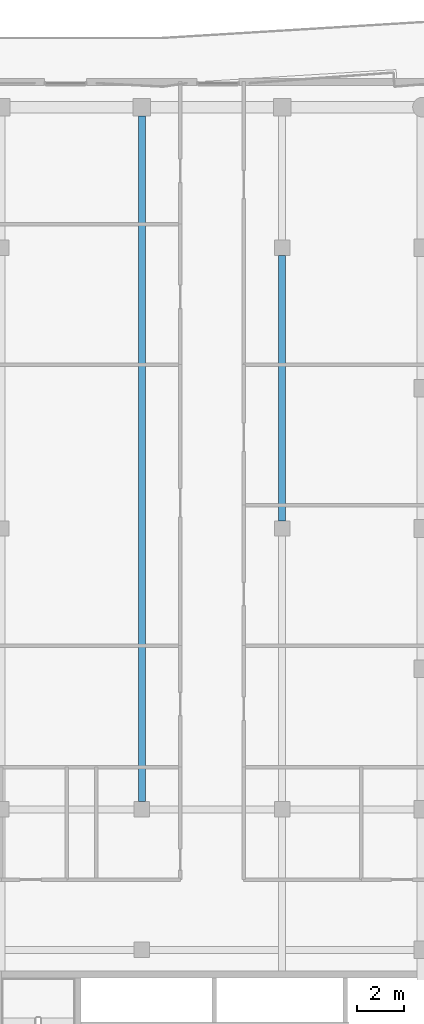
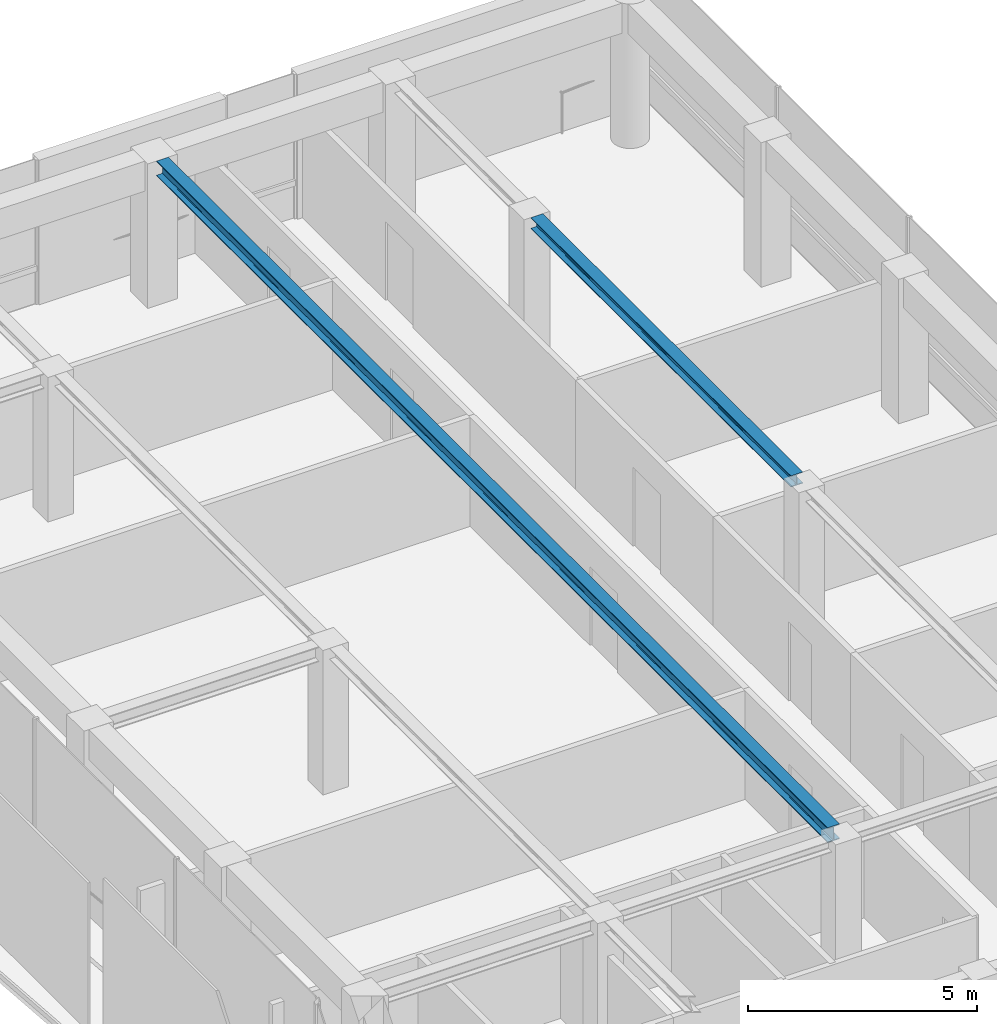
# One storey, part 12 of 21: 2 beams.
"""IFC4 building model written with IfcOpenShell, lengths in metres."""

from ifc_helpers import new_model, si_unit, direction, frame, origin, origin_2d, place, context, subcontext, project, spatial, i_section, extrude, material, material_profile, profile_set, type_object, element, save


model = new_model("IFC4")

# Units and contexts
model_context = context("Model", 3, precision=1e-05, world=origin(), true_north=direction((0.0, 1.0)))
body_context = subcontext(model_context, "Body", "Model", "MODEL_VIEW")
ifc_project = project(units=[si_unit("LENGTHUNIT", "METRE"), si_unit("AREAUNIT", "SQUARE_METRE"), si_unit("VOLUMEUNIT", "CUBIC_METRE"), si_unit("PLANEANGLEUNIT", "RADIAN"), si_unit("MASSUNIT", "GRAM", prefix="KILO")], contexts=[model_context])

# Site, building, storey
site_placement = place(None, origin())
site = spatial("IfcSite", under=ifc_project, at=site_placement, CompositionType="ELEMENT")
building_placement = place(site_placement, origin())
building = spatial("IfcBuilding", under=site, at=building_placement, Name="Welwitschia Terrace Campus", CompositionType="ELEMENT")
storey_placement = place(building_placement, frame((0.0, 0.0, 302.0)))
storey = spatial("IfcBuildingStorey", under=building, at=storey_placement, Name="L67", CompositionType="ELEMENT", Elevation=302.0)

# Beams
ifc_material_1 = material(Name="Steel S355", Category="steel")
ifc_material_profile_1 = material_profile(ifc_material_1, i_section(OverallWidth=0.300048828125, OverallDepth=0.300048828125, WebThickness=0.010986328125, FlangeThickness=0.01904296875, FilletRadius=0.027099609375, at=origin_2d()))
ifc_profile_set_1 = profile_set([ifc_material_profile_1], Name="Steel S355")
beam_type_1 = type_object("IfcBeamType", Name="Interior girder HE 300 B", PredefinedType="BEAM", material=ifc_profile_set_1)
beam_1_placement = place(storey_placement, frame((18.0, 44.325439453125, 3.699951171875), z_axis=(0.0, 1.0, 0.0), x_axis=(-1.0, 0.0, 0.0)))
element("IfcBeam", 1, at=beam_1_placement, inside=storey, type_object=beam_type_1, Name="Girder GB6", PredefinedType="BEAM", context=body_context, shape_type="SweptSolid", body=[
    extrude(i_section(OverallWidth=0.300048828125, OverallDepth=0.300048828125, WebThickness=0.010986328125, FlangeThickness=0.01904296875, FilletRadius=0.027099609375, at=origin_2d()), origin(), (0.0, 0.0, 1.0), 11.34912109375),
])
ifc_material_2 = material(Name="Steel S355", Category="steel")
ifc_material_profile_2 = material_profile(ifc_material_2, i_section(OverallWidth=0.300048828125, OverallDepth=0.39990234375, WebThickness=0.013427734375, FlangeThickness=0.02392578125, FilletRadius=0.027099609375, at=origin_2d()))
ifc_profile_set_2 = profile_set([ifc_material_profile_2], Name="Steel S355")
beam_type_2 = type_object("IfcBeamType", Name="Primary beam HE 400 B", PredefinedType="BEAM", material=ifc_profile_set_2)
beam_2_placement = place(storey_placement, frame((12.0, 61.62451171875, 3.64990234375), z_axis=(0.0, -1.0, 0.0), x_axis=(1.0, 0.0, 0.0)))
element("IfcBeam", 2, at=beam_2_placement, inside=storey, type_object=beam_type_2, Name="Primary beam PB6", PredefinedType="BEAM", context=body_context, shape_type="SweptSolid", body=[
    extrude(i_section(OverallWidth=0.300048828125, OverallDepth=0.39990234375, WebThickness=0.013427734375, FlangeThickness=0.02392578125, FilletRadius=0.027099609375, at=origin_2d()), origin(), (0.0, 0.0, 1.0), 29.299072265625),
])

save(model, "model.ifc")
